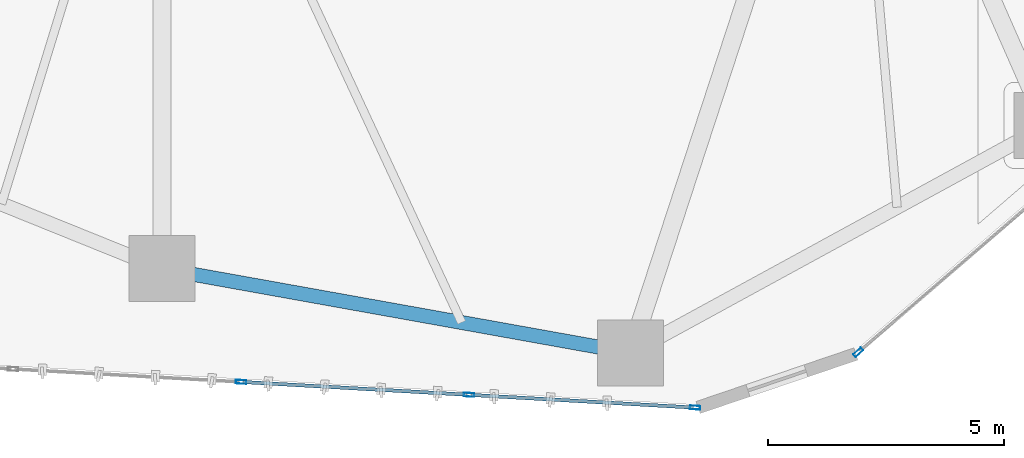
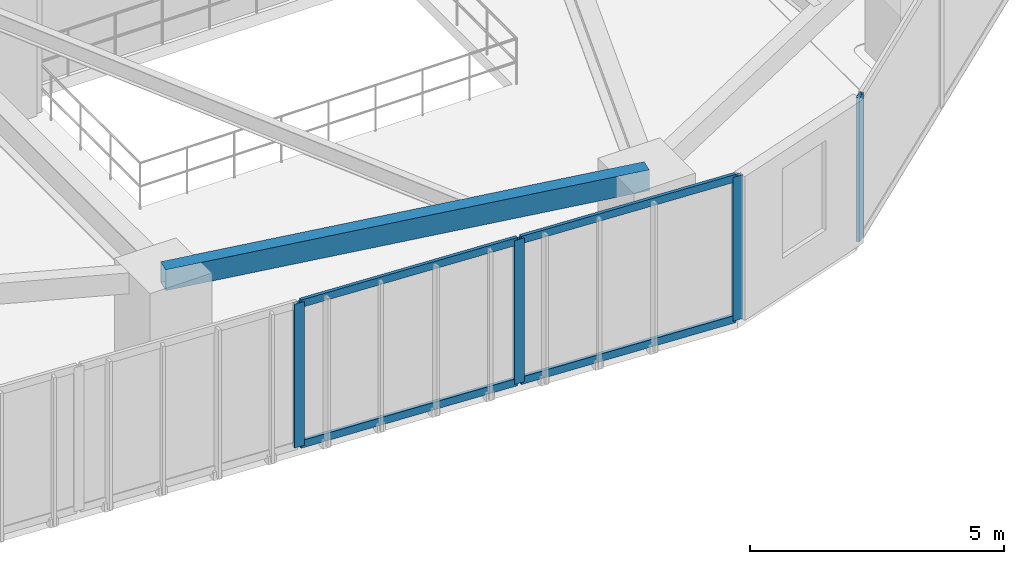
# One storey, part 5 of 24: 8 members, 1 beam, 2 elements without a shape of their own.
"""IFC4 building model written with IfcOpenShell, lengths in metres."""

from ifc_helpers import new_model, si_unit, direction, frame, origin, origin_2d, place, context, subcontext, project, spatial, hollow_rectangle, extrude, source, transform, mapped, material, layer, layer_set, material_profile, profile_set, type_object, type_shapes, element, aggregate, save


model = new_model("IFC4")

# Units and contexts
model_context = context("Model", 3, precision=1e-05, world=origin(), true_north=direction((0.0, 1.0)))
body_context = subcontext(model_context, "Body", "Model", "MODEL_VIEW")
ifc_project = project(units=[si_unit("LENGTHUNIT", "METRE"), si_unit("AREAUNIT", "SQUARE_METRE"), si_unit("VOLUMEUNIT", "CUBIC_METRE"), si_unit("PLANEANGLEUNIT", "RADIAN"), si_unit("MASSUNIT", "GRAM", prefix="KILO")], contexts=[model_context])

# Site, building, storey
site_placement = place(None, origin())
site = spatial("IfcSite", under=ifc_project, at=site_placement, CompositionType="ELEMENT")
building_placement = place(site_placement, origin())
building = spatial("IfcBuilding", under=site, at=building_placement, Name="Talar Marvaseh", CompositionType="ELEMENT")
storey_placement = place(building_placement, frame((0.0, 0.0, 81.0)))
storey = spatial("IfcBuildingStorey", under=building, at=storey_placement, Name="L20", CompositionType="ELEMENT", Elevation=81.0)

# Beam
ifc_material_1 = material(Name="Steel S355", Category="steel")
ifc_material_profile_1 = material_profile(ifc_material_1, hollow_rectangle(XDim=0.300048828125, YDim=0.5, WallThickness=0.02001953125, at=origin_2d()), Name="RHS500x300x20")
ifc_profile_set_1 = profile_set([ifc_material_profile_1], Name="Steel S355")
beam_type = type_object("IfcBeamType", Name="Zone 1 Perimeter Spandrel Beam RHS500x300x20", PredefinedType="SPANDREL", material=ifc_profile_set_1)
beam_placement = place(storey_placement, frame((28.625, 11.195068359375, 3.199951171875), z_axis=(-0.984279934962, 0.176615428632, 0.0), x_axis=(-0.176615428632, -0.984279934962, 0.0)))
element("IfcBeam", 1, at=beam_placement, inside=storey, type_object=beam_type, Name="L20 Zone 1 Perimeter Spandrel Beam RHS500x300x20", PredefinedType="SPANDREL", context=body_context, shape_type="SweptSolid", body=[
    extrude(hollow_rectangle(XDim=0.300048828125, YDim=0.5, WallThickness=0.02001953125, at=origin_2d()), origin(), (0.0, 0.0, 1.0), 10.1005859375),
])

# Curtain wall, members
ifc_material_2 = material(Name="Architectural Aluminium", Category="aluminium")
ifc_layer = layer(ifc_material_2, 0.219970703125)
ifc_layer_set = layer_set([ifc_layer], Name="Architectural Aluminium")
curtain_wall_type = type_object("IfcCurtainWallType", Name="Unitised Low-E Museum Curtain Wall Z1", PredefinedType="NOTDEFINED", material=ifc_layer_set)
curtain_wall_1_placement = place(storey_placement, origin())
curtain_wall_1 = element("IfcCurtainWall", 2, at=curtain_wall_1_placement, inside=storey, type_object=curtain_wall_type, Name="L20 Unitised Low-E Museum Curtain Wall Z1", PredefinedType="NOTDEFINED")
ifc_material_profile_2 = material_profile(ifc_material_2, hollow_rectangle(XDim=0.074951171875, YDim=0.179931640625, WallThickness=0.0048828125, at=origin_2d()), Name="RHS180x75x5")
ifc_profile_set_2 = profile_set([ifc_material_profile_2], Name="Architectural Aluminium")
member_type_1 = type_object("IfcMemberType", Name="Unitised Curtain Wall Transom RHS180x75x5", PredefinedType="USERDEFINED", material=ifc_profile_set_2)
shared_shape_1 = source(origin(), body_context, "Body", "SweptSolid", [
    extrude(hollow_rectangle(XDim=0.074951171875, YDim=0.179931640625, WallThickness=0.0048828125, at=origin_2d()), origin(), (0.0, 0.0, 1.0), 4.725341796875),
])
member_1_placement = place(storey_placement, frame((29.959716796875, 10.0341796875, 0.03759765625), z_axis=(-0.998401295654, 0.056523029261, 0.0), x_axis=(-0.056523029261, -0.998401295654, 0.0)))
member_1 = element("IfcMember", 3, at=member_1_placement, type_object=member_type_1, Name="CW-Z1 transom 1.1", ObjectType="TRANSOM", PredefinedType="USERDEFINED", context=body_context, shape_type="MappedRepresentation", body=[
    mapped(shared_shape_1, transform((0.0, 0.0, 0.0), x_axis=(1.0, 0.0, 0.0), y_axis=(0.0, 1.0, 0.0), z_axis=(0.0, 0.0, 1.0), scale=1.0)),
])
member_2_placement = place(storey_placement, frame((29.959716796875, 10.0341796875, 3.41259765625), z_axis=(-0.998401295654, 0.056523029261, 0.0), x_axis=(-0.056523029261, -0.998401295654, 0.0)))
member_2 = element("IfcMember", 4, at=member_2_placement, type_object=member_type_1, Name="CW-Z1 transom 1.2", ObjectType="TRANSOM", PredefinedType="USERDEFINED", context=body_context, shape_type="MappedRepresentation", body=[
    mapped(shared_shape_1, transform((0.0, 0.0, 0.0), x_axis=(1.0, 0.0, 0.0), y_axis=(0.0, 1.0, 0.0), z_axis=(0.0, 0.0, 1.0), scale=1.0)),
])
shared_shape_2 = source(origin(), body_context, "Body", "SweptSolid", [
    extrude(hollow_rectangle(XDim=0.074951171875, YDim=0.179931640625, WallThickness=0.0048828125, at=origin_2d()), origin(), (0.0, 0.0, 1.0), 4.76513671875),
])
type_shapes(member_type_1, [shared_shape_1, shared_shape_2])
member_3_placement = place(storey_placement, frame((25.161865234375, 10.305908203125, 0.03759765625), z_axis=(-0.998399062828, 0.056562455245, 0.0), x_axis=(-0.056562455245, -0.998399062828, 0.0)))
member_3 = element("IfcMember", 5, at=member_3_placement, type_object=member_type_1, Name="CW-Z1 transom 2.1", ObjectType="TRANSOM", PredefinedType="USERDEFINED", context=body_context, shape_type="MappedRepresentation", body=[
    mapped(shared_shape_2, transform((0.0, 0.0, 0.0), x_axis=(1.0, 0.0, 0.0), y_axis=(0.0, 1.0, 0.0), z_axis=(0.0, 0.0, 1.0), scale=1.0)),
])
member_4_placement = place(storey_placement, frame((25.161865234375, 10.305908203125, 3.41259765625), z_axis=(-0.998399062828, 0.056562455245, 0.0), x_axis=(-0.056562455245, -0.998399062828, 0.0)))
member_4 = element("IfcMember", 6, at=member_4_placement, type_object=member_type_1, Name="CW-Z1 transom 2.2", ObjectType="TRANSOM", PredefinedType="USERDEFINED", context=body_context, shape_type="MappedRepresentation", body=[
    mapped(shared_shape_2, transform((0.0, 0.0, 0.0), x_axis=(1.0, 0.0, 0.0), y_axis=(0.0, 1.0, 0.0), z_axis=(0.0, 0.0, 1.0), scale=1.0)),
])

# Curtain wall, member
curtain_wall_2_placement = place(storey_placement, origin())
curtain_wall_2 = element("IfcCurtainWall", 7, at=curtain_wall_2_placement, inside=storey, type_object=curtain_wall_type, Name="L20 Unitised Low-E Museum Curtain Wall Z1", PredefinedType="NOTDEFINED")
ifc_material_profile_3 = material_profile(ifc_material_2, hollow_rectangle(XDim=0.080078125, YDim=0.219970703125, WallThickness=0.0048828125, at=origin_2d()), Name="RHS220x80x5")
ifc_profile_set_3 = profile_set([ifc_material_profile_3], Name="Architectural Aluminium")
member_type_2 = type_object("IfcMemberType", Name="Unitised Curtain Wall Heavy Mullion RHS220x80x5", PredefinedType="MULLION", material=ifc_profile_set_3)
shared_shape_3 = source(origin(), body_context, "Body", "SweptSolid", [
    extrude(hollow_rectangle(XDim=0.080078125, YDim=0.219970703125, WallThickness=0.0048828125, at=origin_2d()), origin(), (0.0, 0.0, 1.0), 3.449951171875),
])
type_shapes(member_type_2, [shared_shape_3])
member_5_placement = place(storey_placement, frame((33.460693359375, 11.206787109375, 0.0), z_axis=(0.0, 0.0, 1.0), x_axis=(0.652644071563, -0.757664646036, 0.0)))
member_5 = element("IfcMember", 8, at=member_5_placement, type_object=member_type_2, Name="CW-Z1 mullion 6", PredefinedType="MULLION", context=body_context, shape_type="MappedRepresentation", body=[
    mapped(shared_shape_3, transform((0.0, 0.0, 0.0), x_axis=(1.0, 0.0, 0.0), y_axis=(0.0, 1.0, 0.0), z_axis=(0.0, 0.0, 1.0), scale=1.0)),
])
aggregate(curtain_wall_2, [member_5])

# Member
member_6_placement = place(storey_placement, frame((29.99951171875, 10.031982421875, 0.0), z_axis=(0.0, 0.0, 1.0), x_axis=(-0.056536912182, -0.998400509596, 0.0)))
member_6 = element("IfcMember", 9, at=member_6_placement, type_object=member_type_2, Name="CW-Z1 mullion 1", PredefinedType="MULLION", context=body_context, shape_type="MappedRepresentation", body=[
    mapped(shared_shape_3, transform((0.0, 0.0, 0.0), x_axis=(1.0, 0.0, 0.0), y_axis=(0.0, 1.0, 0.0), z_axis=(0.0, 0.0, 1.0), scale=1.0)),
])

member_7_placement = place(storey_placement, frame((25.201904296875, 10.3037109375, 0.0), z_axis=(0.0, 0.0, 1.0), x_axis=(-0.056536912182, -0.998400509596, 0.0)))
member_7 = element("IfcMember", 10, at=member_7_placement, type_object=member_type_2, Name="CW-Z1 mullion 2", PredefinedType="MULLION", context=body_context, shape_type="MappedRepresentation", body=[
    mapped(shared_shape_3, transform((0.0, 0.0, 0.0), x_axis=(1.0, 0.0, 0.0), y_axis=(0.0, 1.0, 0.0), z_axis=(0.0, 0.0, 1.0), scale=1.0)),
])

member_8_placement = place(storey_placement, frame((20.3642578125, 10.57763671875, 0.0), z_axis=(0.0, 0.0, 1.0), x_axis=(-0.056536912182, -0.998400509596, 0.0)))
member_8 = element("IfcMember", 11, at=member_8_placement, type_object=member_type_2, Name="CW-Z1 mullion 3", PredefinedType="MULLION", context=body_context, shape_type="MappedRepresentation", body=[
    mapped(shared_shape_3, transform((0.0, 0.0, 0.0), x_axis=(1.0, 0.0, 0.0), y_axis=(0.0, 1.0, 0.0), z_axis=(0.0, 0.0, 1.0), scale=1.0)),
])

aggregate(curtain_wall_1, [member_6, member_7, member_8, member_1, member_2, member_3, member_4])

save(model, "model.ifc")
